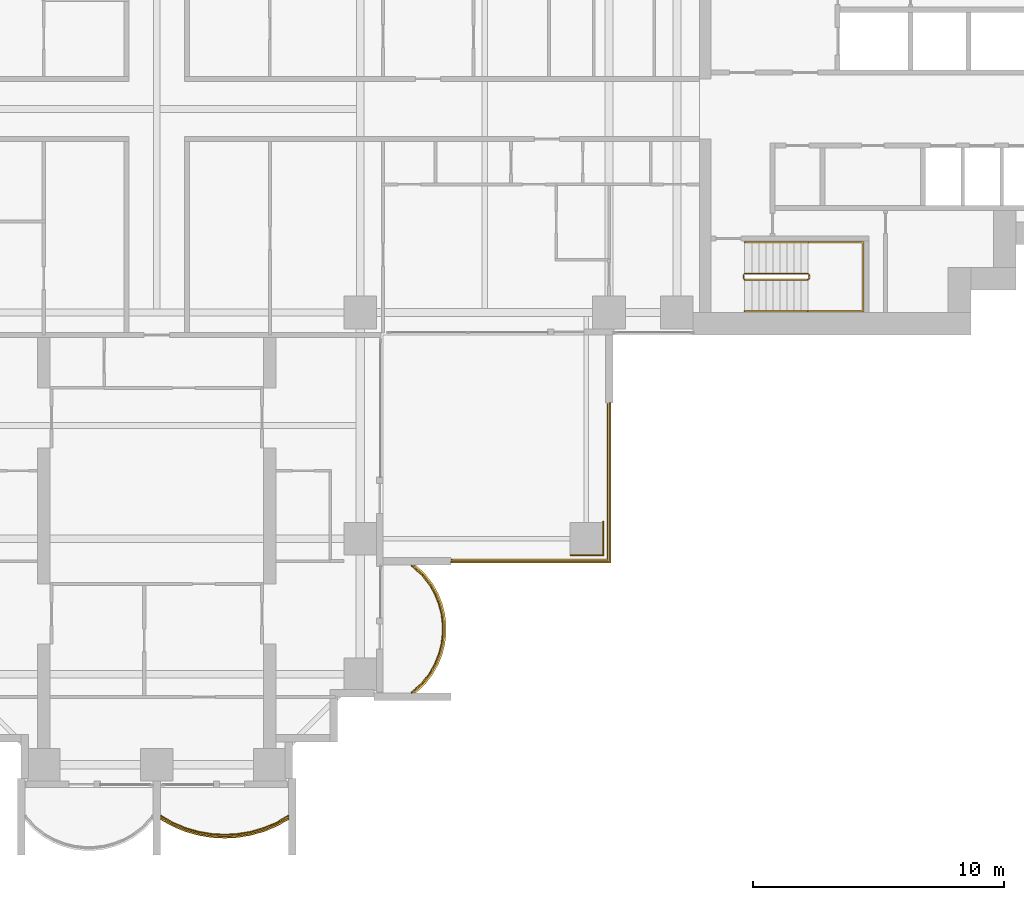
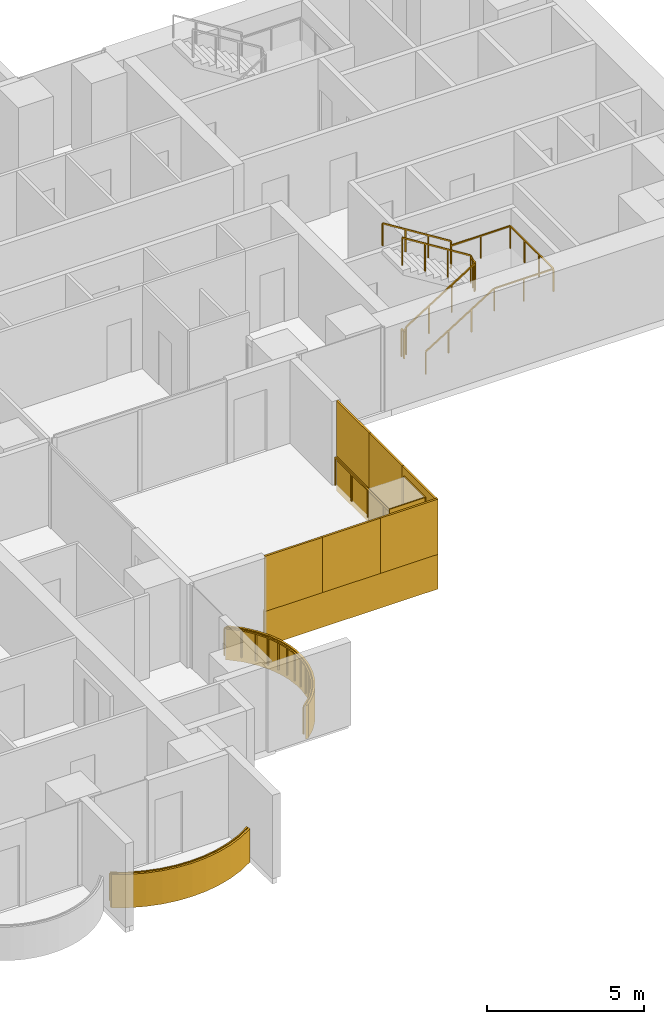
# One storey, part 19 of 21: 11 coverings, 5 railings.
"""IFC4 building model written with IfcOpenShell, lengths in metres."""

from ifc_helpers import new_model, si_unit, direction, frame, origin, origin_2d, place, context, subcontext, project, spatial, polyline, rectangle, outline, extrude, material, layer, layer_set, type_object, element, save


model = new_model("IFC4")

# Units and contexts
model_context = context("Model", 3, precision=1e-05, world=origin(), true_north=direction((0.0, 1.0)))
body_context = subcontext(model_context, "Body", "Model", "MODEL_VIEW")
ifc_project = project(units=[si_unit("LENGTHUNIT", "METRE"), si_unit("AREAUNIT", "SQUARE_METRE"), si_unit("VOLUMEUNIT", "CUBIC_METRE"), si_unit("PLANEANGLEUNIT", "RADIAN"), si_unit("MASSUNIT", "GRAM", prefix="KILO")], contexts=[model_context])

# Site, building, storey
site_placement = place(None, origin())
site = spatial("IfcSite", under=ifc_project, at=site_placement, CompositionType="ELEMENT")
building_placement = place(site_placement, origin())
building = spatial("IfcBuilding", under=site, at=building_placement, Name="Perihelion Cross Residences", CompositionType="ELEMENT")
storey_placement = place(building_placement, frame((0.0, 0.0, 64.5)))
storey = spatial("IfcBuildingStorey", under=building, at=storey_placement, Name="L13", CompositionType="ELEMENT", Elevation=64.5)

# Coverings
ifc_material_1 = material(Name="Bronze anodised aluminium", Category="aluminium")
ifc_layer_1 = layer(ifc_material_1, 0.070068359375)
ifc_layer_set_1 = layer_set([ifc_layer_1], Name="Balcony fascia 1300")
covering_type_1 = type_object("IfcCoveringType", Name="Balcony fascia 1300", PredefinedType="CLADDING", material=ifc_layer_set_1)
covering_1_placement = place(storey_placement, frame((0.0, 0.0, -0.199951171875)))
element("IfcCovering", 1, at=covering_1_placement, inside=storey, type_object=covering_type_1, Name="Fascia BF1 L13 south tip south bay 2", PredefinedType="CLADDING", context=body_context, shape_type="SweptSolid", body=[
    extrude(outline(polyline([(0.629638671875, -28.54833984375), (1.147216796875, -28.7607421875), (1.664794921875, -28.906494140625), (2.182373046875, -28.991943359375), (2.699951171875, -29.02001953125), (3.217529296875, -28.991943359375), (3.735107421875, -28.906494140625), (4.2529296875, -28.7607421875), (4.7705078125, -28.54833984375), (5.25, -28.2802734375), (5.25, -28.199951171875), (4.739990234375, -28.4853515625), (4.22998046875, -28.694580078125), (3.719970703125, -28.838134765625), (3.2099609375, -28.92236328125), (2.699951171875, -28.949951171875), (2.18994140625, -28.92236328125), (1.679931640625, -28.838134765625), (1.169921875, -28.694580078125), (0.659912109375, -28.4853515625), (0.14990234375, -28.199951171875), (0.14990234375, -28.2802734375), (0.629638671875, -28.54833984375)])), origin(), (0.0, 0.0, 1.0), 1.300048828125),
])
covering_2_placement = place(storey_placement, frame((0.0, 0.0, -0.199951171875)))
element("IfcCovering", 2, at=covering_2_placement, inside=storey, type_object=covering_type_1, Name="Fascia BF1 L13 south side east bay 1", PredefinedType="CLADDING", context=body_context, shape_type="SweptSolid", body=[
    extrude(outline(polyline([(10.674072265625, -22.90478515625), (10.982666015625, -22.50390625), (11.20654296875, -22.10302734375), (11.364013671875, -21.7021484375), (11.464599609375, -21.30126953125), (11.513916015625, -20.900390625), (11.513916015625, -20.49951171875), (11.464599609375, -20.0986328125), (11.364013671875, -19.69775390625), (11.20654296875, -19.296875), (10.982666015625, -18.89599609375), (10.674072265625, -18.4951171875), (10.302734375, -18.14990234375), (10.199951171875, -18.14990234375), (10.622314453125, -18.542236328125), (10.924072265625, -18.9345703125), (11.143310546875, -19.326904296875), (11.29736328125, -19.71923828125), (11.39599609375, -20.111572265625), (11.444091796875, -20.50390625), (11.444091796875, -20.896240234375), (11.39599609375, -21.28857421875), (11.29736328125, -21.6806640625), (11.143310546875, -22.072998046875), (10.924072265625, -22.46533203125), (10.622314453125, -22.857666015625), (10.199951171875, -23.25), (10.302734375, -23.25), (10.674072265625, -22.90478515625)])), origin(), (0.0, 0.0, 1.0), 1.300048828125),
])

# Railings
ifc_material_2 = material(Name="Bronze anodised aluminium", Category="aluminium")
railing_type_1 = type_object("IfcRailingType", Name="Balcony guard 1100", PredefinedType="GUARDRAIL", material=ifc_material_2)
railing_1_placement = place(storey_placement, frame((0.175048828125, -28.139892578125, 0.0)))
element("IfcRailing", 3, at=railing_1_placement, inside=storey, type_object=railing_type_1, Name="Guard GU1 L13 south tip south bay 2 balcony", PredefinedType="GUARDRAIL", context=body_context, shape_type="SweptSolid", body=[
    extrude(rectangle(XDim=0.048095703125, YDim=0.048095703125, at=origin_2d()), frame((0.0, 0.0, 1.076171875), z_axis=(0.861789164031, -0.507266632806, 0.0), x_axis=(0.507266632806, 0.861789164031, 0.0)), (0.0, 0.0, 1.0), 0.562744140625),
    extrude(rectangle(XDim=0.048095703125, YDim=0.048095703125, at=origin_2d()), frame((0.48486328125, -0.285400390625, 1.076171875), z_axis=(0.925172605972, -0.379546636342, 0.0), x_axis=(0.379546636342, 0.925172605972, 0.0)), (0.0, 0.0, 1.0), 0.55126953125),
    extrude(rectangle(XDim=0.048095703125, YDim=0.048095703125, at=origin_2d()), frame((0.994873046875, -0.49462890625, 1.076171875), z_axis=(0.962474364231, -0.271372618732, 0.0), x_axis=(0.271372618732, 0.962474364231, 0.0)), (0.0, 0.0, 1.0), 0.52978515625),
    extrude(rectangle(XDim=0.048095703125, YDim=0.048095703125, at=origin_2d()), frame((1.5048828125, -0.638427734375, 1.076171875), z_axis=(0.986711211531, -0.162483799314, 0.0), x_axis=(0.162483799314, 0.986711211531, 0.0)), (0.0, 0.0, 1.0), 0.516845703125),
    extrude(rectangle(XDim=0.048095703125, YDim=0.048095703125, at=origin_2d()), frame((2.014892578125, -0.722412109375, 1.076171875), z_axis=(0.998540183677, -0.05401390175, 0.0), x_axis=(0.05401390175, 0.998540183677, 0.0)), (0.0, 0.0, 1.0), 0.5107421875),
    extrude(rectangle(XDim=0.048095703125, YDim=0.048095703125, at=origin_2d()), frame((2.52490234375, -0.75, 1.076171875), z_axis=(0.998540183677, 0.05401390175, 0.0), x_axis=(-0.05401390175, 0.998540183677, 0.0)), (0.0, 0.0, 1.0), 0.5107421875),
    extrude(rectangle(XDim=0.048095703125, YDim=0.048095703125, at=origin_2d()), frame((3.034912109375, -0.722412109375, 1.076171875), z_axis=(0.986711211531, 0.162483799314, 0.0), x_axis=(-0.162483799314, 0.986711211531, 0.0)), (0.0, 0.0, 1.0), 0.516845703125),
    extrude(rectangle(XDim=0.048095703125, YDim=0.048095703125, at=origin_2d()), frame((3.544921875, -0.638427734375, 1.076171875), z_axis=(0.962474364231, 0.271372618732, 0.0), x_axis=(-0.271372618732, 0.962474364231, 0.0)), (0.0, 0.0, 1.0), 0.52978515625),
    extrude(rectangle(XDim=0.048095703125, YDim=0.048095703125, at=origin_2d()), frame((4.054931640625, -0.49462890625, 1.076171875), z_axis=(0.925172605972, 0.379546636342, 0.0), x_axis=(-0.379546636342, 0.925172605972, 0.0)), (0.0, 0.0, 1.0), 0.55126953125),
    extrude(rectangle(XDim=0.048095703125, YDim=0.048095703125, at=origin_2d()), frame((4.56494140625, -0.285400390625, 1.076171875), z_axis=(0.861900760591, 0.507076995033, 0.0), x_axis=(-0.507076995033, 0.861900760591, 0.0)), (0.0, 0.0, 1.0), 0.562744140625),
    extrude(rectangle(XDim=0.0419921875, YDim=0.0419921875, at=origin_2d()), origin(), (0.0, 0.0, 1.0), 1.052001953125),
    extrude(rectangle(XDim=0.0419921875, YDim=0.0419921875, at=origin_2d()), frame((0.48486328125, -0.285400390625, 0.0)), (0.0, 0.0, 1.0), 1.052001953125),
    extrude(rectangle(XDim=0.0419921875, YDim=0.0419921875, at=origin_2d()), frame((0.994873046875, -0.49462890625, 0.0)), (0.0, 0.0, 1.0), 1.052001953125),
    extrude(rectangle(XDim=0.0419921875, YDim=0.0419921875, at=origin_2d()), frame((1.5048828125, -0.638427734375, 0.0)), (0.0, 0.0, 1.0), 1.052001953125),
    extrude(rectangle(XDim=0.0419921875, YDim=0.0419921875, at=origin_2d()), frame((2.014892578125, -0.722412109375, 0.0)), (0.0, 0.0, 1.0), 1.052001953125),
    extrude(rectangle(XDim=0.0419921875, YDim=0.0419921875, at=origin_2d()), frame((2.52490234375, -0.75, 0.0)), (0.0, 0.0, 1.0), 1.052001953125),
    extrude(rectangle(XDim=0.0419921875, YDim=0.0419921875, at=origin_2d()), frame((3.034912109375, -0.722412109375, 0.0)), (0.0, 0.0, 1.0), 1.052001953125),
    extrude(rectangle(XDim=0.0419921875, YDim=0.0419921875, at=origin_2d()), frame((3.544921875, -0.638427734375, 0.0)), (0.0, 0.0, 1.0), 1.052001953125),
    extrude(rectangle(XDim=0.0419921875, YDim=0.0419921875, at=origin_2d()), frame((4.054931640625, -0.49462890625, 0.0)), (0.0, 0.0, 1.0), 1.052001953125),
    extrude(rectangle(XDim=0.0419921875, YDim=0.0419921875, at=origin_2d()), frame((4.56494140625, -0.285400390625, 0.0)), (0.0, 0.0, 1.0), 1.052001953125),
    extrude(rectangle(XDim=0.0419921875, YDim=0.0419921875, at=origin_2d()), frame((5.050048828125, 0.0, 0.0)), (0.0, 0.0, 1.0), 1.052001953125),
])
railing_2_placement = place(storey_placement, frame((10.139892578125, -23.22509765625, 0.0)))
element("IfcRailing", 4, at=railing_2_placement, inside=storey, type_object=railing_type_1, Name="Guard GU1 L13 south side east bay 1 balcony", PredefinedType="GUARDRAIL", context=body_context, shape_type="SweptSolid", body=[
    extrude(rectangle(XDim=0.048095703125, YDim=0.048095703125, at=origin_2d()), frame((0.0, 0.0, 1.076171875), z_axis=(0.754464673757, 0.656340655493, 0.0), x_axis=(-0.656340655493, 0.754464673757, 0.0)), (0.0, 0.0, 1.0), 0.559814453125),
    extrude(rectangle(XDim=0.048095703125, YDim=0.048095703125, at=origin_2d()), frame((0.42236328125, 0.367431640625, 1.076171875), z_axis=(0.60966308455, 0.792660660899, 0.0), x_axis=(-0.792660660899, 0.60966308455, 0.0)), (0.0, 0.0, 1.0), 0.494873046875),
    extrude(rectangle(XDim=0.048095703125, YDim=0.048095703125, at=origin_2d()), frame((0.72412109375, 0.759765625, 1.076171875), z_axis=(0.487809182674, 0.872950285698, 0.0), x_axis=(-0.872950285698, 0.487809182674, 0.0)), (0.0, 0.0, 1.0), 0.449462890625),
    extrude(rectangle(XDim=0.048095703125, YDim=0.048095703125, at=origin_2d()), frame((0.943359375, 1.152099609375, 1.076171875), z_axis=(0.365491079925, 0.930814842219, 0.0), x_axis=(-0.930814842219, 0.365491079925, 0.0)), (0.0, 0.0, 1.0), 0.42138671875),
    extrude(rectangle(XDim=0.048095703125, YDim=0.048095703125, at=origin_2d()), frame((1.097412109375, 1.54443359375, 1.076171875), z_axis=(0.243956193074, 0.969786252666, 0.0), x_axis=(-0.969786252666, 0.243956193074, 0.0)), (0.0, 0.0, 1.0), 0.404296875),
    extrude(rectangle(XDim=0.048095703125, YDim=0.048095703125, at=origin_2d()), frame((1.196044921875, 1.9365234375, 1.076171875), z_axis=(0.121677797999, 0.992569651699, 0.0), x_axis=(-0.992569651699, 0.121677797999, 0.0)), (0.0, 0.0, 1.0), 0.395263671875),
    extrude(rectangle(XDim=0.048095703125, YDim=0.048095703125, at=origin_2d()), frame((1.244140625, 2.328857421875, 1.076171875), z_axis=(0.0, 1.0, 0.0), x_axis=(-1.0, 0.0, 0.0)), (0.0, 0.0, 1.0), 0.392333984375),
    extrude(rectangle(XDim=0.048095703125, YDim=0.048095703125, at=origin_2d()), frame((1.244140625, 2.72119140625, 1.076171875), z_axis=(-0.121677797999, 0.992569651699, 0.0), x_axis=(-0.992569651699, -0.121677797999, 0.0)), (0.0, 0.0, 1.0), 0.395263671875),
    extrude(rectangle(XDim=0.048095703125, YDim=0.048095703125, at=origin_2d()), frame((1.196044921875, 3.113525390625, 1.076171875), z_axis=(-0.243813411509, 0.969822159145, 0.0), x_axis=(-0.969822159145, -0.243813411509, 0.0)), (0.0, 0.0, 1.0), 0.404541015625),
    extrude(rectangle(XDim=0.048095703125, YDim=0.048095703125, at=origin_2d()), frame((1.097412109375, 3.505859375, 1.076171875), z_axis=(-0.365491079925, 0.930814842219, 0.0), x_axis=(-0.930814842219, -0.365491079925, 0.0)), (0.0, 0.0, 1.0), 0.42138671875),
    extrude(rectangle(XDim=0.048095703125, YDim=0.048095703125, at=origin_2d()), frame((0.943359375, 3.898193359375, 1.076171875), z_axis=(-0.487809182674, 0.872950285698, 0.0), x_axis=(-0.872950285698, -0.487809182674, 0.0)), (0.0, 0.0, 1.0), 0.449462890625),
    extrude(rectangle(XDim=0.048095703125, YDim=0.048095703125, at=origin_2d()), frame((0.72412109375, 4.29052734375, 1.076171875), z_axis=(-0.60966308455, 0.792660660899, 0.0), x_axis=(-0.792660660899, -0.60966308455, 0.0)), (0.0, 0.0, 1.0), 0.494873046875),
    extrude(rectangle(XDim=0.048095703125, YDim=0.048095703125, at=origin_2d()), frame((0.42236328125, 4.682861328125, 1.076171875), z_axis=(-0.754680648599, 0.656092309534, 0.0), x_axis=(-0.656092309534, -0.754680648599, 0.0)), (0.0, 0.0, 1.0), 0.5595703125),
    extrude(rectangle(XDim=0.0419921875, YDim=0.0419921875, at=origin_2d()), origin(), (0.0, 0.0, 1.0), 1.052001953125),
    extrude(rectangle(XDim=0.0419921875, YDim=0.0419921875, at=origin_2d()), frame((0.42236328125, 0.367431640625, 0.0)), (0.0, 0.0, 1.0), 1.052001953125),
    extrude(rectangle(XDim=0.0419921875, YDim=0.0419921875, at=origin_2d()), frame((0.72412109375, 0.759765625, 0.0)), (0.0, 0.0, 1.0), 1.052001953125),
    extrude(rectangle(XDim=0.0419921875, YDim=0.0419921875, at=origin_2d()), frame((0.943359375, 1.152099609375, 0.0)), (0.0, 0.0, 1.0), 1.052001953125),
    extrude(rectangle(XDim=0.0419921875, YDim=0.0419921875, at=origin_2d()), frame((1.097412109375, 1.54443359375, 0.0)), (0.0, 0.0, 1.0), 1.052001953125),
    extrude(rectangle(XDim=0.0419921875, YDim=0.0419921875, at=origin_2d()), frame((1.196044921875, 1.9365234375, 0.0)), (0.0, 0.0, 1.0), 1.052001953125),
    extrude(rectangle(XDim=0.0419921875, YDim=0.0419921875, at=origin_2d()), frame((1.244140625, 2.328857421875, 0.0)), (0.0, 0.0, 1.0), 1.052001953125),
    extrude(rectangle(XDim=0.0419921875, YDim=0.0419921875, at=origin_2d()), frame((1.244140625, 2.72119140625, 0.0)), (0.0, 0.0, 1.0), 1.052001953125),
    extrude(rectangle(XDim=0.0419921875, YDim=0.0419921875, at=origin_2d()), frame((1.196044921875, 3.113525390625, 0.0)), (0.0, 0.0, 1.0), 1.052001953125),
    extrude(rectangle(XDim=0.0419921875, YDim=0.0419921875, at=origin_2d()), frame((1.097412109375, 3.505859375, 0.0)), (0.0, 0.0, 1.0), 1.052001953125),
    extrude(rectangle(XDim=0.0419921875, YDim=0.0419921875, at=origin_2d()), frame((0.943359375, 3.898193359375, 0.0)), (0.0, 0.0, 1.0), 1.052001953125),
    extrude(rectangle(XDim=0.0419921875, YDim=0.0419921875, at=origin_2d()), frame((0.72412109375, 4.29052734375, 0.0)), (0.0, 0.0, 1.0), 1.052001953125),
    extrude(rectangle(XDim=0.0419921875, YDim=0.0419921875, at=origin_2d()), frame((0.42236328125, 4.682861328125, 0.0)), (0.0, 0.0, 1.0), 1.052001953125),
    extrude(rectangle(XDim=0.0419921875, YDim=0.0419921875, at=origin_2d()), frame((0.0, 5.050048828125, 0.0)), (0.0, 0.0, 1.0), 1.052001953125),
])
railing_3_placement = place(storey_placement, frame((17.93994140625, -11.739990234375, 0.0)))
element("IfcRailing", 5, at=railing_3_placement, inside=storey, type_object=railing_type_1, Name="Guard GU1 L13 pocket south-east 1", PredefinedType="GUARDRAIL", context=body_context, shape_type="SweptSolid", body=[
    extrude(rectangle(XDim=0.048095703125, YDim=0.048095703125, at=origin_2d()), frame((0.0, 0.0, 1.076171875), z_axis=(0.0, -1.0, 0.0), x_axis=(1.0, 0.0, 0.0)), (0.0, 0.0, 1.0), 6.199951171875),
    extrude(rectangle(XDim=0.048095703125, YDim=0.048095703125, at=origin_2d()), frame((0.0, -6.199951171875, 1.076171875), z_axis=(-1.0, 0.0, 0.0), x_axis=(0.0, -1.0, 0.0)), (0.0, 0.0, 1.0), 6.199951171875),
    extrude(rectangle(XDim=0.0419921875, YDim=0.0419921875, at=origin_2d()), origin(), (0.0, 0.0, 1.0), 1.052001953125),
    extrude(rectangle(XDim=0.0419921875, YDim=0.0419921875, at=origin_2d()), frame((0.0, -1.033203125, 0.0)), (0.0, 0.0, 1.0), 1.052001953125),
    extrude(rectangle(XDim=0.0419921875, YDim=0.0419921875, at=origin_2d()), frame((0.0, -2.066650390625, 0.0)), (0.0, 0.0, 1.0), 1.052001953125),
    extrude(rectangle(XDim=0.0419921875, YDim=0.0419921875, at=origin_2d()), frame((0.0, -3.10009765625, 0.0)), (0.0, 0.0, 1.0), 1.052001953125),
    extrude(rectangle(XDim=0.0419921875, YDim=0.0419921875, at=origin_2d()), frame((0.0, -4.13330078125, 0.0)), (0.0, 0.0, 1.0), 1.052001953125),
    extrude(rectangle(XDim=0.0419921875, YDim=0.0419921875, at=origin_2d()), frame((0.0, -5.16650390625, 0.0)), (0.0, 0.0, 1.0), 1.052001953125),
    extrude(rectangle(XDim=0.0419921875, YDim=0.0419921875, at=origin_2d()), frame((0.0, -6.199951171875, 0.0)), (0.0, 0.0, 1.0), 1.052001953125),
    extrude(rectangle(XDim=0.0419921875, YDim=0.0419921875, at=origin_2d()), frame((-1.033203125, -6.199951171875, 0.0)), (0.0, 0.0, 1.0), 1.052001953125),
    extrude(rectangle(XDim=0.0419921875, YDim=0.0419921875, at=origin_2d()), frame((-2.066650390625, -6.199951171875, 0.0)), (0.0, 0.0, 1.0), 1.052001953125),
    extrude(rectangle(XDim=0.0419921875, YDim=0.0419921875, at=origin_2d()), frame((-3.10009765625, -6.199951171875, 0.0)), (0.0, 0.0, 1.0), 1.052001953125),
    extrude(rectangle(XDim=0.0419921875, YDim=0.0419921875, at=origin_2d()), frame((-4.13330078125, -6.199951171875, 0.0)), (0.0, 0.0, 1.0), 1.052001953125),
    extrude(rectangle(XDim=0.0419921875, YDim=0.0419921875, at=origin_2d()), frame((-5.16650390625, -6.199951171875, 0.0)), (0.0, 0.0, 1.0), 1.052001953125),
    extrude(rectangle(XDim=0.0419921875, YDim=0.0419921875, at=origin_2d()), frame((-6.199951171875, -6.199951171875, 0.0)), (0.0, 0.0, 1.0), 1.052001953125),
])

# Coverings
ifc_material_3 = material(Name="Bronze anodised aluminium", Category="aluminium")
ifc_layer_2 = layer(ifc_material_3, 0.0400390625)
ifc_layer_set_2 = layer_set([ifc_layer_2], Name="Bronze column casing 40")
covering_type_2 = type_object("IfcCoveringType", Name="Bronze column casing 40", PredefinedType="CLADDING", material=ifc_layer_set_2)
covering_3_placement = place(storey_placement, frame((17.77001953125, -17.10009765625, -0.25), z_axis=(0.0, 0.0, 1.0), x_axis=(1.0, 0.0, 0.0)))
element("IfcCovering", 6, at=covering_3_placement, inside=storey, type_object=covering_type_2, Name="Cladding CC1 L13 casing east-west no. 3", PredefinedType="CLADDING", context=body_context, shape_type="SweptSolid", body=[
    extrude(rectangle(XDim=0.0400390625, YDim=1.3798828125, at=origin_2d()), origin(), (0.0, 0.0, 1.0), 3.5),
])
covering_4_placement = place(storey_placement, frame((17.10009765625, -17.77001953125, -0.25), z_axis=(0.0, 0.0, 1.0), x_axis=(1.0, 0.0, 0.0)))
element("IfcCovering", 7, at=covering_4_placement, inside=storey, type_object=covering_type_2, Name="Cladding CC1 L13 casing north-south no. 3", PredefinedType="CLADDING", context=body_context, shape_type="SweptSolid", body=[
    extrude(rectangle(XDim=1.300048828125, YDim=0.0400390625, at=origin_2d()), origin(), (0.0, 0.0, 1.0), 3.5),
])
ifc_material_4 = material(Name="Bronze anodised aluminium", Category="aluminium")
ifc_layer_3 = layer(ifc_material_4, 0.070068359375)
ifc_layer_set_3 = layer_set([ifc_layer_3], Name="Pocket fascia 1350")
covering_type_3 = type_object("IfcCoveringType", Name="Pocket fascia 1350", PredefinedType="CLADDING", material=ifc_layer_set_3)
covering_5_placement = place(storey_placement, frame((0.0, 0.0, -0.25)))
element("IfcCovering", 8, at=covering_5_placement, inside=storey, type_object=covering_type_3, Name="Fascia BF2 L13 pocket south-east 3", PredefinedType="CLADDING", context=body_context, shape_type="SweptSolid", body=[
    extrude(outline(polyline([(18.070068359375, -18.070068359375), (18.070068359375, -11.699951171875), (18.0, -11.699951171875), (18.0, -18.0), (11.699951171875, -18.0), (11.699951171875, -18.070068359375), (18.070068359375, -18.070068359375)])), origin(), (0.0, 0.0, 1.0), 1.35009765625),
])
ifc_material_5 = material(Name="Bronze perforated aluminium", Category="aluminium")
ifc_layer_4 = layer(ifc_material_5, 0.070068359375)
ifc_layer_set_4 = layer_set([ifc_layer_4], Name="Pocket solar screen, bronze perforated")
covering_type_4 = type_object("IfcCoveringType", Name="Pocket solar screen, bronze perforated", PredefinedType="CLADDING", material=ifc_layer_set_4)
covering_6_placement = place(storey_placement, frame((0.0, 0.0, 1.10009765625)))
element("IfcCovering", 9, at=covering_6_placement, inside=storey, type_object=covering_type_4, Name="Solar screen PS1 L13 pocket south-east no. 1", PredefinedType="CLADDING", context=body_context, shape_type="SweptSolid", body=[
    extrude(outline(polyline([(18.070068359375, -18.0), (18.070068359375, -15.89990234375), (18.0, -15.89990234375), (18.0, -18.0), (18.070068359375, -18.0)])), origin(), (0.0, 0.0, 1.0), 2.14990234375),
])
covering_7_placement = place(storey_placement, frame((0.0, 0.0, 1.10009765625)))
element("IfcCovering", 10, at=covering_7_placement, inside=storey, type_object=covering_type_4, Name="Solar screen PS1 L13 pocket south-east no. 2", PredefinedType="CLADDING", context=body_context, shape_type="SweptSolid", body=[
    extrude(outline(polyline([(18.070068359375, -15.89990234375), (18.070068359375, -13.800048828125), (18.0, -13.800048828125), (18.0, -15.89990234375), (18.070068359375, -15.89990234375)])), origin(), (0.0, 0.0, 1.0), 2.14990234375),
])
covering_8_placement = place(storey_placement, frame((0.0, 0.0, 1.10009765625)))
element("IfcCovering", 11, at=covering_8_placement, inside=storey, type_object=covering_type_4, Name="Solar screen PS1 L13 pocket south-east no. 3", PredefinedType="CLADDING", context=body_context, shape_type="SweptSolid", body=[
    extrude(outline(polyline([(18.070068359375, -13.800048828125), (18.070068359375, -11.699951171875), (18.0, -11.699951171875), (18.0, -13.800048828125), (18.070068359375, -13.800048828125)])), origin(), (0.0, 0.0, 1.0), 2.14990234375),
])
covering_9_placement = place(storey_placement, frame((0.0, 0.0, 1.10009765625)))
element("IfcCovering", 12, at=covering_9_placement, inside=storey, type_object=covering_type_4, Name="Solar screen PS1 L13 pocket south-east no. 4", PredefinedType="CLADDING", context=body_context, shape_type="SweptSolid", body=[
    extrude(outline(polyline([(13.8232421875, -18.070068359375), (13.8232421875, -18.0), (11.699951171875, -18.0), (11.699951171875, -18.070068359375), (13.8232421875, -18.070068359375)])), origin(), (0.0, 0.0, 1.0), 2.14990234375),
])
covering_10_placement = place(storey_placement, frame((0.0, 0.0, 1.10009765625)))
element("IfcCovering", 13, at=covering_10_placement, inside=storey, type_object=covering_type_4, Name="Solar screen PS1 L13 pocket south-east no. 5", PredefinedType="CLADDING", context=body_context, shape_type="SweptSolid", body=[
    extrude(outline(polyline([(15.94677734375, -18.070068359375), (15.94677734375, -18.0), (13.8232421875, -18.0), (13.8232421875, -18.070068359375), (15.94677734375, -18.070068359375)])), origin(), (0.0, 0.0, 1.0), 2.14990234375),
])
covering_11_placement = place(storey_placement, frame((0.0, 0.0, 1.10009765625)))
element("IfcCovering", 14, at=covering_11_placement, inside=storey, type_object=covering_type_4, Name="Solar screen PS1 L13 pocket south-east no. 6", PredefinedType="CLADDING", context=body_context, shape_type="SweptSolid", body=[
    extrude(outline(polyline([(18.070068359375, -18.070068359375), (18.070068359375, -18.0), (15.94677734375, -18.0), (15.94677734375, -18.070068359375), (18.070068359375, -18.070068359375)])), origin(), (0.0, 0.0, 1.0), 2.14990234375),
])

# Railings
ifc_material_6 = material(Name="Stainless steel", Category="steel")
railing_type_2 = type_object("IfcRailingType", Name="Stair guard 1100", PredefinedType="GUARDRAIL", material=ifc_material_6)
railing_4_placement = place(storey_placement, frame((23.35009765625, -6.60009765625, 0.0)))
element("IfcRailing", 15, at=railing_4_placement, inside=storey, type_object=railing_type_2, Name="L13 ST-E2 stair guard 1", PredefinedType="GUARDRAIL", context=body_context, shape_type="SweptSolid", body=[
    extrude(rectangle(XDim=0.048095703125, YDim=0.048095703125, at=origin_2d()), frame((0.0, 0.0, 1.076171875), z_axis=(0.0, -1.0, 0.0), x_axis=(1.0, 0.0, 0.0)), (0.0, 0.0, 1.0), 0.14990234375),
    extrude(rectangle(XDim=0.048095703125, YDim=0.048095703125, at=origin_2d()), frame((0.0, -0.14990234375, 1.076171875), z_axis=(0.263862480399, -0.265155923931, 0.927399011991), x_axis=(0.708833529934, 0.705375805398, 0.0)), (0.0, 0.0, 1.0), 0.188720703125),
    extrude(rectangle(XDim=0.048095703125, YDim=0.048095703125, at=origin_2d()), frame((0.0498046875, -0.199951171875, 1.2509765625), z_axis=(0.848007534815, 0.0, 0.529984170421), x_axis=(0.0, 1.0, 0.0)), (0.0, 0.0, 1.0), 2.9716796875),
    extrude(rectangle(XDim=0.048095703125, YDim=0.048095703125, at=origin_2d()), frame((2.56982421875, -0.199951171875, 2.826171875), z_axis=(0.707106781187, 0.707106781187, 0.0), x_axis=(-0.707106781187, 0.707106781187, 0.0)), (0.0, 0.0, 1.0), 0.07080078125),
    extrude(rectangle(XDim=0.048095703125, YDim=0.048095703125, at=origin_2d()), frame((2.619873046875, -0.14990234375, 2.826171875), z_axis=(0.0, 1.0, 0.0), x_axis=(-1.0, 0.0, 0.0)), (0.0, 0.0, 1.0), 0.14990234375),
    extrude(rectangle(XDim=0.048095703125, YDim=0.048095703125, at=origin_2d()), frame((2.619873046875, 0.0, 2.826171875), z_axis=(-0.265065253269, 0.265065253269, 0.927081885822), x_axis=(-0.707106781187, -0.707106781187, 0.0)), (0.0, 0.0, 1.0), 0.188720703125),
    extrude(rectangle(XDim=0.048095703125, YDim=0.048095703125, at=origin_2d()), frame((2.56982421875, 0.050048828125, 3.0009765625), z_axis=(-0.848007534815, 0.0, 0.529984170421), x_axis=(0.0, -1.0, 0.0)), (0.0, 0.0, 1.0), 2.9716796875),
    extrude(rectangle(XDim=0.0419921875, YDim=0.0419921875, at=origin_2d()), origin(), (0.0, 0.0, 1.0), 1.052001953125),
    extrude(rectangle(XDim=0.0419921875, YDim=0.0419921875, at=origin_2d()), frame((0.0, -0.14990234375, 0.0)), (0.0, 0.0, 1.0), 1.052001953125),
    extrude(rectangle(XDim=0.0419921875, YDim=0.0419921875, at=origin_2d()), frame((0.0498046875, -0.199951171875, 0.175048828125)), (0.0, 0.0, 1.0), 1.052001953125),
    extrude(rectangle(XDim=0.0419921875, YDim=0.0419921875, at=origin_2d()), frame((0.889892578125, -0.199951171875, 0.699951171875)), (0.0, 0.0, 1.0), 1.052001953125),
    extrude(rectangle(XDim=0.0419921875, YDim=0.0419921875, at=origin_2d()), frame((1.729736328125, -0.199951171875, 1.22509765625)), (0.0, 0.0, 1.0), 1.052001953125),
    extrude(rectangle(XDim=0.0419921875, YDim=0.0419921875, at=origin_2d()), frame((2.56982421875, -0.199951171875, 1.75)), (0.0, 0.0, 1.0), 1.052001953125),
    extrude(rectangle(XDim=0.0419921875, YDim=0.0419921875, at=origin_2d()), frame((2.619873046875, -0.14990234375, 1.75)), (0.0, 0.0, 1.0), 1.052001953125),
    extrude(rectangle(XDim=0.0419921875, YDim=0.0419921875, at=origin_2d()), frame((2.619873046875, 0.0, 1.75)), (0.0, 0.0, 1.0), 1.052001953125),
    extrude(rectangle(XDim=0.0419921875, YDim=0.0419921875, at=origin_2d()), frame((2.56982421875, 0.050048828125, 1.925048828125)), (0.0, 0.0, 1.0), 1.052001953125),
    extrude(rectangle(XDim=0.0419921875, YDim=0.0419921875, at=origin_2d()), frame((1.729736328125, 0.050048828125, 2.449951171875)), (0.0, 0.0, 1.0), 1.052001953125),
    extrude(rectangle(XDim=0.0419921875, YDim=0.0419921875, at=origin_2d()), frame((0.889892578125, 0.050048828125, 2.97509765625)), (0.0, 0.0, 1.0), 1.052001953125),
    extrude(rectangle(XDim=0.0419921875, YDim=0.0419921875, at=origin_2d()), frame((0.0498046875, 0.050048828125, 3.5)), (0.0, 0.0, 1.0), 1.052001953125),
])
ifc_material_7 = material(Name="Stainless steel", Category="steel")
railing_type_3 = type_object("IfcRailingType", Name="Stair handrail 900", PredefinedType="HANDRAIL", material=ifc_material_7)
railing_5_placement = place(storey_placement, frame((23.39990234375, -8.050048828125, 0.175048828125)))
element("IfcRailing", 16, at=railing_5_placement, inside=storey, type_object=railing_type_3, Name="L13 ST-E2 stair handrail 1", PredefinedType="HANDRAIL", context=body_context, shape_type="SweptSolid", body=[
    extrude(rectangle(XDim=0.048095703125, YDim=0.048095703125, at=origin_2d()), frame((0.0, 0.0, 0.8759765625), z_axis=(0.848007534815, 0.0, 0.529984170421), x_axis=(0.0, 1.0, 0.0)), (0.0, 0.0, 1.0), 2.9716796875),
    extrude(rectangle(XDim=0.048095703125, YDim=0.048095703125, at=origin_2d()), frame((2.52001953125, 0.0, 2.45068359375), z_axis=(1.0, 0.0, 0.0), x_axis=(0.0, 1.0, 0.0)), (0.0, 0.0, 1.0), 2.18017578125),
    extrude(rectangle(XDim=0.048095703125, YDim=0.048095703125, at=origin_2d()), frame((4.7001953125, 0.0, 2.45068359375), z_axis=(0.0, 1.0, 0.0), x_axis=(-1.0, 0.0, 0.0)), (0.0, 0.0, 1.0), 2.75),
    extrude(rectangle(XDim=0.048095703125, YDim=0.048095703125, at=origin_2d()), frame((4.7001953125, 2.75, 2.45068359375), z_axis=(-1.0, 0.0, 0.0), x_axis=(0.0, -1.0, 0.0)), (0.0, 0.0, 1.0), 2.18017578125),
    extrude(rectangle(XDim=0.048095703125, YDim=0.048095703125, at=origin_2d()), frame((2.52001953125, 2.75, 2.45068359375), z_axis=(0.0, 0.0, 1.0), x_axis=(1.0, 0.0, 0.0)), (0.0, 0.0, 1.0), 0.175048828125),
    extrude(rectangle(XDim=0.048095703125, YDim=0.048095703125, at=origin_2d()), frame((2.52001953125, 2.75, 2.6259765625), z_axis=(-0.848007534815, 0.0, 0.529984170421), x_axis=(0.0, -1.0, 0.0)), (0.0, 0.0, 1.0), 2.9716796875),
    extrude(rectangle(XDim=0.0419921875, YDim=0.0419921875, at=origin_2d()), origin(), (0.0, 0.0, 1.0), 0.851806640625),
    extrude(rectangle(XDim=0.0419921875, YDim=0.0419921875, at=origin_2d()), frame((0.840087890625, 0.0, 0.52490234375)), (0.0, 0.0, 1.0), 0.851806640625),
    extrude(rectangle(XDim=0.0419921875, YDim=0.0419921875, at=origin_2d()), frame((1.679931640625, 0.0, 1.050048828125)), (0.0, 0.0, 1.0), 0.851806640625),
    extrude(rectangle(XDim=0.0419921875, YDim=0.0419921875, at=origin_2d()), frame((2.52001953125, 0.0, 1.574951171875)), (0.0, 0.0, 1.0), 0.851806640625),
    extrude(rectangle(XDim=0.0419921875, YDim=0.0419921875, at=origin_2d()), frame((3.610107421875, 0.0, 1.574951171875)), (0.0, 0.0, 1.0), 0.851806640625),
    extrude(rectangle(XDim=0.0419921875, YDim=0.0419921875, at=origin_2d()), frame((4.7001953125, 0.0, 1.574951171875)), (0.0, 0.0, 1.0), 0.851806640625),
    extrude(rectangle(XDim=0.0419921875, YDim=0.0419921875, at=origin_2d()), frame((4.7001953125, 0.916748046875, 1.574951171875)), (0.0, 0.0, 1.0), 0.851806640625),
    extrude(rectangle(XDim=0.0419921875, YDim=0.0419921875, at=origin_2d()), frame((4.7001953125, 1.833251953125, 1.574951171875)), (0.0, 0.0, 1.0), 0.851806640625),
    extrude(rectangle(XDim=0.0419921875, YDim=0.0419921875, at=origin_2d()), frame((4.7001953125, 2.75, 1.574951171875)), (0.0, 0.0, 1.0), 0.851806640625),
    extrude(rectangle(XDim=0.0419921875, YDim=0.0419921875, at=origin_2d()), frame((3.610107421875, 2.75, 1.574951171875)), (0.0, 0.0, 1.0), 0.851806640625),
    extrude(rectangle(XDim=0.0419921875, YDim=0.0419921875, at=origin_2d()), frame((2.52001953125, 2.75, 1.574951171875)), (0.0, 0.0, 1.0), 0.851806640625),
    extrude(rectangle(XDim=0.0419921875, YDim=0.0419921875, at=origin_2d()), frame((2.52001953125, 2.75, 1.75)), (0.0, 0.0, 1.0), 0.851806640625),
    extrude(rectangle(XDim=0.0419921875, YDim=0.0419921875, at=origin_2d()), frame((1.679931640625, 2.75, 2.27490234375)), (0.0, 0.0, 1.0), 0.851806640625),
    extrude(rectangle(XDim=0.0419921875, YDim=0.0419921875, at=origin_2d()), frame((0.840087890625, 2.75, 2.800048828125)), (0.0, 0.0, 1.0), 0.851806640625),
    extrude(rectangle(XDim=0.0419921875, YDim=0.0419921875, at=origin_2d()), frame((0.0, 2.75, 3.324951171875)), (0.0, 0.0, 1.0), 0.851806640625),
])

save(model, "model.ifc")
